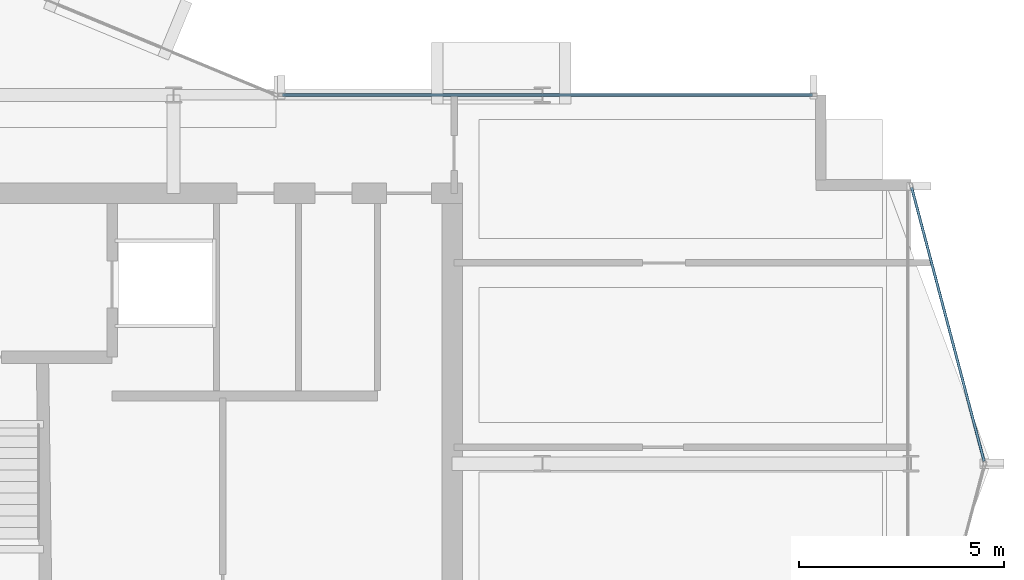
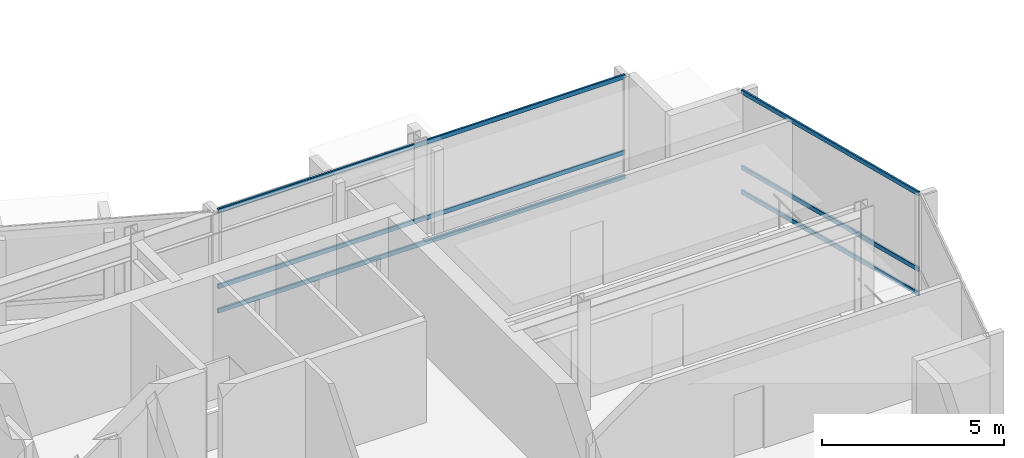
# One storey, part 13 of 28: 6 members, 2 elements without a shape of their own.
"""IFC4 building model written with IfcOpenShell, lengths in metres."""

from ifc_helpers import new_model, si_unit, direction, frame, origin, origin_2d, place, context, subcontext, project, spatial, hollow_rectangle, extrude, material, layer, layer_set, material_profile, profile_set, type_object, element, aggregate, save


model = new_model("IFC4")

# Units and contexts
model_context = context("Model", 3, precision=1e-05, world=origin(), true_north=direction((0.0, 1.0)))
body_context = subcontext(model_context, "Body", "Model", "MODEL_VIEW")
ifc_project = project(units=[si_unit("LENGTHUNIT", "METRE"), si_unit("AREAUNIT", "SQUARE_METRE"), si_unit("VOLUMEUNIT", "CUBIC_METRE"), si_unit("PLANEANGLEUNIT", "RADIAN"), si_unit("MASSUNIT", "GRAM", prefix="KILO")], contexts=[model_context])

# Site, building, storey
site_placement = place(None, origin())
site = spatial("IfcSite", under=ifc_project, at=site_placement, CompositionType="ELEMENT")
building_placement = place(site_placement, origin())
building = spatial("IfcBuilding", under=site, at=building_placement, Name="Solvaryn Broadcast Tower", CompositionType="ELEMENT")
storey_placement = place(building_placement, frame((0.0, 0.0, 217.300048828125)))
storey = spatial("IfcBuildingStorey", under=building, at=storey_placement, Name="L54", CompositionType="ELEMENT", Elevation=217.300048828125)

# Curtain wall, members
ifc_material_1 = material(Name="Aluminium and Terracotta Unitised Curtain Wall", Category="masonry")
ifc_layer = layer(ifc_material_1, 0.199951171875)
ifc_layer_set = layer_set([ifc_layer], Name="CW-SYS2-LOWMID")
curtain_wall_type = type_object("IfcCurtainWallType", Name="CW-SYS2-LOWMID", PredefinedType="NOTDEFINED", material=ifc_layer_set)
curtain_wall_1_placement = place(storey_placement, origin())
curtain_wall_1 = element("IfcCurtainWall", 1, at=curtain_wall_1_placement, inside=storey, type_object=curtain_wall_type, Name="L54 Curtain Wall ET1", PredefinedType="NOTDEFINED")
ifc_material_2 = material(Name="Anodised Aluminium 6063-T6", Category="aluminium")
ifc_material_profile = material_profile(ifc_material_2, hollow_rectangle(XDim=0.06494140625, YDim=0.14990234375, WallThickness=0.00390625, InnerFilletRadius=0.00390625, OuterFilletRadius=0.008056640625, at=origin_2d()))
ifc_profile_set = profile_set([ifc_material_profile], Name="Anodised Aluminium 6063-T6")
member_type = type_object("IfcMemberType", Name="CW-TRN-150", PredefinedType="USERDEFINED", material=ifc_profile_set)
member_1_placement = place(storey_placement, frame((54.015380859375, 24.741943359375, 0.030029296875), z_axis=(0.255897413051, -0.966703943301, 0.0), x_axis=(0.966703943301, 0.255897413051, 0.0)))
member_1 = element("IfcMember", 2, at=member_1_placement, type_object=member_type, Name="CWS2 transom 1.1", ObjectType="TRANSOM", PredefinedType="USERDEFINED", context=body_context, shape_type="SweptSolid", body=[
    extrude(hollow_rectangle(XDim=0.06494140625, YDim=0.14990234375, WallThickness=0.00390625, InnerFilletRadius=0.00390625, OuterFilletRadius=0.008056640625, at=origin_2d()), origin(), (0.0, 0.0, 1.0), 6.9140625),
])
member_2_placement = place(storey_placement, frame((54.015380859375, 24.741943359375, 0.849853515625), z_axis=(0.255897413051, -0.966703943301, 0.0), x_axis=(0.966703943301, 0.255897413051, 0.0)))
member_2 = element("IfcMember", 3, at=member_2_placement, type_object=member_type, Name="CWS2 transom 1.2", ObjectType="TRANSOM", PredefinedType="USERDEFINED", context=body_context, shape_type="SweptSolid", body=[
    extrude(hollow_rectangle(XDim=0.06494140625, YDim=0.14990234375, WallThickness=0.00390625, InnerFilletRadius=0.00390625, OuterFilletRadius=0.008056640625, at=origin_2d()), origin(), (0.0, 0.0, 1.0), 6.9140625),
])
member_3_placement = place(storey_placement, frame((54.015380859375, 24.741943359375, 3.389892578125), z_axis=(0.255897413051, -0.966703943301, 0.0), x_axis=(0.966703943301, 0.255897413051, 0.0)))
member_3 = element("IfcMember", 4, at=member_3_placement, type_object=member_type, Name="CWS2 transom 1.3", ObjectType="TRANSOM", PredefinedType="USERDEFINED", context=body_context, shape_type="SweptSolid", body=[
    extrude(hollow_rectangle(XDim=0.06494140625, YDim=0.14990234375, WallThickness=0.00390625, InnerFilletRadius=0.00390625, OuterFilletRadius=0.008056640625, at=origin_2d()), origin(), (0.0, 0.0, 1.0), 6.9140625),
])
aggregate(curtain_wall_1, [member_1, member_2, member_3])

curtain_wall_2_placement = place(storey_placement, origin())
curtain_wall_2 = element("IfcCurtainWall", 5, at=curtain_wall_2_placement, inside=storey, type_object=curtain_wall_type, Name="L54 Curtain Wall IH", PredefinedType="NOTDEFINED")
member_4_placement = place(storey_placement, frame((38.659912109375, 27.0, 0.030029296875), z_axis=(1.0, 0.0, 0.0), x_axis=(0.0, 1.0, 0.0)))
member_4 = element("IfcMember", 6, at=member_4_placement, type_object=member_type, Name="CWS2 transom 1.1", ObjectType="TRANSOM", PredefinedType="USERDEFINED", context=body_context, shape_type="SweptSolid", body=[
    extrude(hollow_rectangle(XDim=0.06494140625, YDim=0.14990234375, WallThickness=0.00390625, InnerFilletRadius=0.00390625, OuterFilletRadius=0.008056640625, at=origin_2d()), origin(), (0.0, 0.0, 1.0), 12.93017578125),
])
member_5_placement = place(storey_placement, frame((38.659912109375, 27.0, 0.849853515625), z_axis=(1.0, 0.0, 0.0), x_axis=(0.0, 1.0, 0.0)))
member_5 = element("IfcMember", 7, at=member_5_placement, type_object=member_type, Name="CWS2 transom 1.2", ObjectType="TRANSOM", PredefinedType="USERDEFINED", context=body_context, shape_type="SweptSolid", body=[
    extrude(hollow_rectangle(XDim=0.06494140625, YDim=0.14990234375, WallThickness=0.00390625, InnerFilletRadius=0.00390625, OuterFilletRadius=0.008056640625, at=origin_2d()), origin(), (0.0, 0.0, 1.0), 12.93017578125),
])
member_6_placement = place(storey_placement, frame((38.659912109375, 27.0, 3.389892578125), z_axis=(1.0, 0.0, 0.0), x_axis=(0.0, 1.0, 0.0)))
member_6 = element("IfcMember", 8, at=member_6_placement, type_object=member_type, Name="CWS2 transom 1.3", ObjectType="TRANSOM", PredefinedType="USERDEFINED", context=body_context, shape_type="SweptSolid", body=[
    extrude(hollow_rectangle(XDim=0.06494140625, YDim=0.14990234375, WallThickness=0.00390625, InnerFilletRadius=0.00390625, OuterFilletRadius=0.008056640625, at=origin_2d()), origin(), (0.0, 0.0, 1.0), 12.93017578125),
])
aggregate(curtain_wall_2, [member_4, member_5, member_6])

save(model, "model.ifc")
